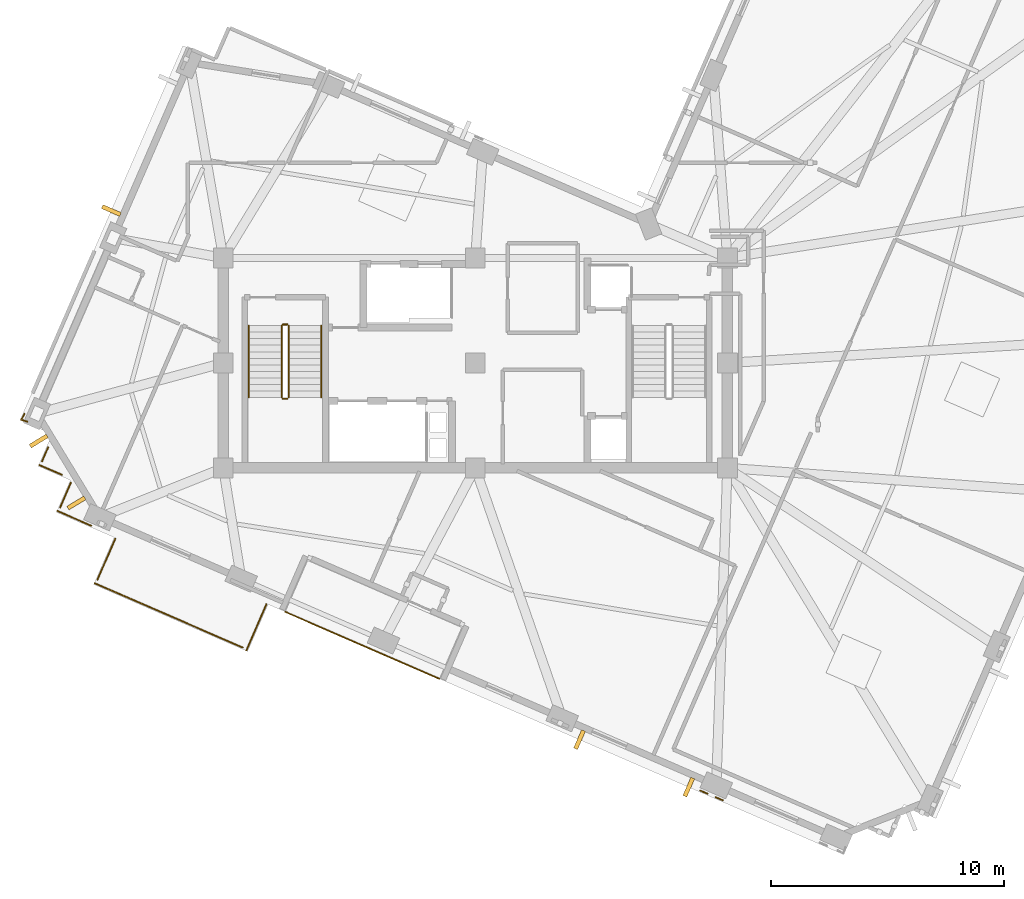
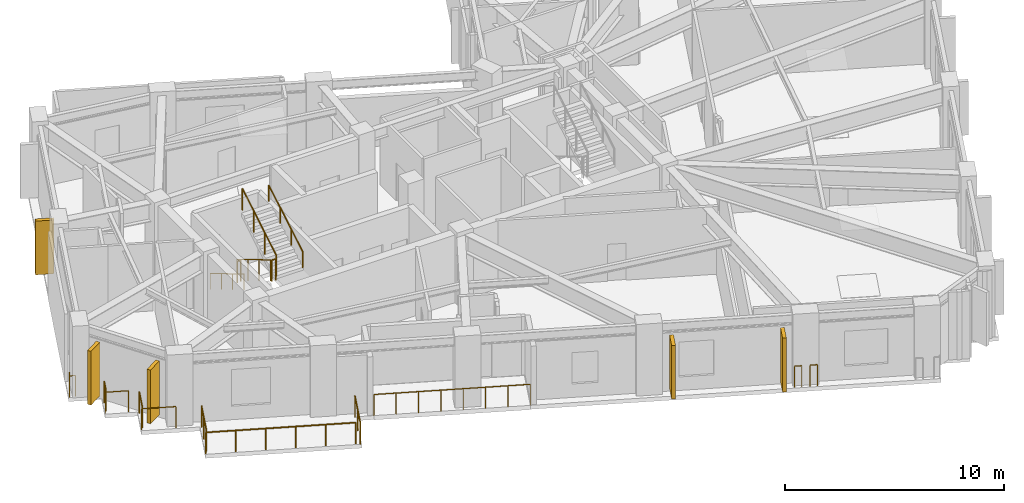
# One storey, part 9 of 12: 17 railings, 5 shading devices.
"""IFC4 building model written with IfcOpenShell, lengths in metres."""

from ifc_helpers import new_model, si_unit, direction, frame, origin, origin_2d, place, context, subcontext, project, spatial, rectangle, circle, extrude, material, layer, layer_set, type_object, element, save


model = new_model("IFC4")

# Units and contexts
model_context = context("Model", 3, precision=1e-05, world=origin(), true_north=direction((0.0, 1.0)))
body_context = subcontext(model_context, "Body", "Model", "MODEL_VIEW")
ifc_project = project(units=[si_unit("LENGTHUNIT", "METRE"), si_unit("AREAUNIT", "SQUARE_METRE"), si_unit("VOLUMEUNIT", "CUBIC_METRE"), si_unit("PLANEANGLEUNIT", "RADIAN"), si_unit("MASSUNIT", "GRAM", prefix="KILO")], contexts=[model_context])

# Site, building, storey
site_placement = place(None, origin())
site = spatial("IfcSite", under=ifc_project, at=site_placement, CompositionType="ELEMENT")
building_placement = place(site_placement, origin())
building = spatial("IfcBuilding", under=site, at=building_placement, Name="Gaonmaruhae Medical Tower", CompositionType="ELEMENT")
storey_placement = place(building_placement, frame((0.0, 0.0, 312.60009765625)))
storey = spatial("IfcBuildingStorey", under=building, at=storey_placement, Name="L75", CompositionType="ELEMENT", Elevation=312.60009765625)

# Railings
ifc_material_1 = material(Name="Stainless steel 316L and laminated safety glass", Category="steel")
ifc_layer = layer(ifc_material_1, 0.080078125)
ifc_layer_set = layer_set([ifc_layer], Name="Stainless steel 316L and laminated safety glass")
railing_type_1 = type_object("IfcRailingType", Name="GD-120 Outdoor Terrace Safety Glass & Steel Balustrade", PredefinedType="BALUSTRADE", material=ifc_layer_set)
railing_1_placement = place(storey_placement, frame((16.657470703125, 1.634521484375, 0.0)))
element("IfcRailing", 1, at=railing_1_placement, inside=storey, type_object=railing_type_1, Name="L75 Terrace Safety Guard RL-SLB-L75-TER-04", PredefinedType="BALUSTRADE", context=body_context, shape_type="SweptSolid", body=[
    extrude(circle(Radius=0.02392578125, at=origin_2d()), frame((0.0, 0.0, 1.17578125), z_axis=(0.917059274554, -0.398750908406, 0.0), x_axis=(0.398750908406, 0.917059274554, 0.0)), (0.0, 0.0, 1.0), 7.2001953125),
    extrude(circle(Radius=0.02099609375, at=origin_2d()), origin(), (0.0, 0.0, 1.0), 1.15185546875),
    extrude(circle(Radius=0.02099609375, at=origin_2d()), frame((0.943359375, -0.41015625, 0.0)), (0.0, 0.0, 1.0), 1.15185546875),
    extrude(circle(Radius=0.02099609375, at=origin_2d()), frame((1.886474609375, -0.8203125, 0.0)), (0.0, 0.0, 1.0), 1.15185546875),
    extrude(circle(Radius=0.02099609375, at=origin_2d()), frame((2.829833984375, -1.23046875, 0.0)), (0.0, 0.0, 1.0), 1.15185546875),
    extrude(circle(Radius=0.02099609375, at=origin_2d()), frame((3.773193359375, -1.640625, 0.0)), (0.0, 0.0, 1.0), 1.15185546875),
    extrude(circle(Radius=0.02099609375, at=origin_2d()), frame((4.716552734375, -2.05078125, 0.0)), (0.0, 0.0, 1.0), 1.15185546875),
    extrude(circle(Radius=0.02099609375, at=origin_2d()), frame((5.65966796875, -2.4609375, 0.0)), (0.0, 0.0, 1.0), 1.15185546875),
    extrude(circle(Radius=0.02099609375, at=origin_2d()), frame((6.60302734375, -2.87109375, 0.0)), (0.0, 0.0, 1.0), 1.15185546875),
])
railing_2_placement = place(storey_placement, frame((7.085693359375, 7.50830078125, 0.0)))
element("IfcRailing", 2, at=railing_2_placement, inside=storey, type_object=railing_type_1, Name="L75 Perimeter Slab Edge Safety Balustrade 01", PredefinedType="BALUSTRADE", context=body_context, shape_type="SweptSolid", body=[
    extrude(circle(Radius=0.02392578125, at=origin_2d()), frame((0.0, 0.0, 1.17578125), z_axis=(-0.917059068991, 0.398751381166, 0.0), x_axis=(-0.398751381166, -0.917059068991, 0.0)), (0.0, 0.0, 1.0), 1.059814453125),
    extrude(circle(Radius=0.02099609375, at=origin_2d()), origin(), (0.0, 0.0, 1.0), 1.15185546875),
    extrude(circle(Radius=0.02099609375, at=origin_2d()), frame((-0.971923828125, 0.422607421875, 0.0)), (0.0, 0.0, 1.0), 1.15185546875),
])
railing_3_placement = place(storey_placement, frame((6.232666015625, 8.0791015625, 0.0)))
element("IfcRailing", 3, at=railing_3_placement, inside=storey, type_object=railing_type_1, Name="L75 Perimeter Slab Edge Safety Balustrade 02", PredefinedType="BALUSTRADE", context=body_context, shape_type="SweptSolid", body=[
    extrude(circle(Radius=0.02392578125, at=origin_2d()), frame((0.0, 0.0, 1.17578125), z_axis=(0.398644977145, 0.917105327755, 0.0), x_axis=(-0.917105327755, 0.398644977145, 0.0)), (0.0, 0.0, 1.0), 0.66015625),
    extrude(circle(Radius=0.02099609375, at=origin_2d()), origin(), (0.0, 0.0, 1.0), 1.15185546875),
    extrude(circle(Radius=0.02099609375, at=origin_2d()), frame((0.26318359375, 0.60546875, 0.0)), (0.0, 0.0, 1.0), 1.15185546875),
])
for number, where, name in (
    (4, (35.411865234375, -6.44384765625, 0.0), "L75 Perimeter Slab Edge Safety Balustrade 10"),
    (5, (34.75146484375, -6.15673828125, 0.0), "L75 Perimeter Slab Edge Safety Balustrade 11"),
):
    element("IfcRailing", number, at=place(storey_placement, frame(where)), inside=storey, type_object=railing_type_1, Name=name, PredefinedType="BALUSTRADE", context=body_context, shape_type="SweptSolid", body=[
        extrude(circle(Radius=0.02392578125, at=origin_2d()), frame((0.0, 0.0, 1.17578125), z_axis=(-0.917127136585, 0.398594800943, 0.0), x_axis=(-0.398594800943, -0.917127136585, 0.0)), (0.0, 0.0, 1.0), 0.33984375),
        extrude(circle(Radius=0.02099609375, at=origin_2d()), origin(), (0.0, 0.0, 1.0), 1.15185546875),
        extrude(circle(Radius=0.02099609375, at=origin_2d()), frame((-0.311767578125, 0.135498046875, 0.0)), (0.0, 0.0, 1.0), 1.15185546875),
    ])
railing_4_placement = place(storey_placement, frame((15.851806640625, 1.962890625, 0.0)))
element("IfcRailing", 6, at=railing_4_placement, inside=storey, type_object=railing_type_1, Name="L75 Perimeter Slab Edge Safety Balustrade 12", PredefinedType="BALUSTRADE", context=body_context, shape_type="SweptSolid", body=[
    extrude(circle(Radius=0.02392578125, at=origin_2d()), frame((0.0, 0.0, 1.17578125), z_axis=(-0.398783975406, -0.917044895825, 0.0), x_axis=(0.917044895825, -0.398783975406, 0.0)), (0.0, 0.0, 1.0), 2.159912109375),
    extrude(circle(Radius=0.02099609375, at=origin_2d()), origin(), (0.0, 0.0, 1.0), 1.15185546875),
    extrude(circle(Radius=0.02099609375, at=origin_2d()), frame((-0.4306640625, -0.990234375, 0.0)), (0.0, 0.0, 1.0), 1.15185546875),
    extrude(circle(Radius=0.02099609375, at=origin_2d()), frame((-0.861328125, -1.980712890625, 0.0)), (0.0, 0.0, 1.0), 1.15185546875),
])
railing_5_placement = place(storey_placement, frame((14.825927734375, 0.108154296875, 0.0)))
element("IfcRailing", 7, at=railing_5_placement, inside=storey, type_object=railing_type_1, Name="L75 Perimeter Slab Edge Safety Balustrade 13", PredefinedType="BALUSTRADE", context=body_context, shape_type="SweptSolid", body=[
    extrude(circle(Radius=0.02392578125, at=origin_2d()), frame((0.0, 0.0, 1.17578125), z_axis=(-0.917063314583, 0.398741616898, 0.0), x_axis=(-0.398741616898, -0.917063314583, 0.0)), (0.0, 0.0, 1.0), 6.908935546875),
    extrude(circle(Radius=0.02099609375, at=origin_2d()), origin(), (0.0, 0.0, 1.0), 1.15185546875),
    extrude(circle(Radius=0.02099609375, at=origin_2d()), frame((-1.26708984375, 0.551025390625, 0.0)), (0.0, 0.0, 1.0), 1.15185546875),
    extrude(circle(Radius=0.02099609375, at=origin_2d()), frame((-2.534423828125, 1.10205078125, 0.0)), (0.0, 0.0, 1.0), 1.15185546875),
    extrude(circle(Radius=0.02099609375, at=origin_2d()), frame((-3.801513671875, 1.65283203125, 0.0)), (0.0, 0.0, 1.0), 1.15185546875),
    extrude(circle(Radius=0.02099609375, at=origin_2d()), frame((-5.06884765625, 2.203857421875, 0.0)), (0.0, 0.0, 1.0), 1.15185546875),
    extrude(circle(Radius=0.02099609375, at=origin_2d()), frame((-6.3359375, 2.7548828125, 0.0)), (0.0, 0.0, 1.0), 1.15185546875),
])
railing_6_placement = place(storey_placement, frame((8.611083984375, 3.01611328125, 0.0)))
element("IfcRailing", 8, at=railing_6_placement, inside=storey, type_object=railing_type_1, Name="L75 Perimeter Slab Edge Safety Balustrade 14", PredefinedType="BALUSTRADE", context=body_context, shape_type="SweptSolid", body=[
    extrude(circle(Radius=0.02392578125, at=origin_2d()), frame((0.0, 0.0, 1.17578125), z_axis=(0.398744697043, 0.917061975321, 0.0), x_axis=(-0.917061975321, 0.398744697043, 0.0)), (0.0, 0.0, 1.0), 1.92138671875),
    extrude(circle(Radius=0.02099609375, at=origin_2d()), origin(), (0.0, 0.0, 1.0), 1.15185546875),
    extrude(circle(Radius=0.02099609375, at=origin_2d()), frame((0.383056640625, 0.880859375, 0.0)), (0.0, 0.0, 1.0), 1.15185546875),
    extrude(circle(Radius=0.02099609375, at=origin_2d()), frame((0.76611328125, 1.761962890625, 0.0)), (0.0, 0.0, 1.0), 1.15185546875),
])
railing_7_placement = place(storey_placement, frame((8.339111328125, 5.32763671875, 0.0)))
element("IfcRailing", 9, at=railing_7_placement, inside=storey, type_object=railing_type_1, Name="L75 Perimeter Slab Edge Safety Balustrade 15", PredefinedType="BALUSTRADE", context=body_context, shape_type="SweptSolid", body=[
    extrude(circle(Radius=0.02392578125, at=origin_2d()), frame((0.0, 0.0, 1.17578125), z_axis=(-0.917028256025, 0.39882223816, 0.0), x_axis=(-0.39882223816, -0.917028256025, 0.0)), (0.0, 0.0, 1.0), 1.578857421875),
    extrude(circle(Radius=0.02099609375, at=origin_2d()), origin(), (0.0, 0.0, 1.0), 1.15185546875),
    extrude(circle(Radius=0.02099609375, at=origin_2d()), frame((-1.44775390625, 0.629638671875, 0.0)), (0.0, 0.0, 1.0), 1.15185546875),
])
railing_8_placement = place(storey_placement, frame((7.01025390625, 6.10546875, 0.0)))
element("IfcRailing", 10, at=railing_8_placement, inside=storey, type_object=railing_type_1, Name="L75 Perimeter Slab Edge Safety Balustrade 16", PredefinedType="BALUSTRADE", context=body_context, shape_type="SweptSolid", body=[
    extrude(circle(Radius=0.02392578125, at=origin_2d()), frame((0.0, 0.0, 1.17578125), z_axis=(0.398664536879, 0.917096825333, 0.0), x_axis=(-0.917096825333, 0.398664536879, 0.0)), (0.0, 0.0, 1.0), 1.159912109375),
    extrude(circle(Radius=0.02099609375, at=origin_2d()), origin(), (0.0, 0.0, 1.0), 1.15185546875),
    extrude(circle(Radius=0.02099609375, at=origin_2d()), frame((0.46240234375, 1.063720703125, 0.0)), (0.0, 0.0, 1.0), 1.15185546875),
])
railing_9_placement = place(storey_placement, frame((5.611572265625, 9.78515625, 0.0)))
element("IfcRailing", 11, at=railing_9_placement, inside=storey, type_object=railing_type_1, Name="L75 Perimeter Corner Safety Balustrade 17", PredefinedType="BALUSTRADE", context=body_context, shape_type="SweptSolid", body=[
    extrude(circle(Radius=0.02392578125, at=origin_2d()), frame((0.0, 0.0, 1.17578125), z_axis=(-0.958849549831, 0.28391467167, 0.0), x_axis=(-0.28391467167, -0.958849549831, 0.0)), (0.0, 0.0, 1.0), 0.287109375),
    extrude(circle(Radius=0.02392578125, at=origin_2d()), frame((-0.275390625, 0.08154296875, 1.17578125), z_axis=(0.507726124509, 0.861518532877, 0.0), x_axis=(-0.861518532877, 0.507726124509, 0.0)), (0.0, 0.0, 1.0), 0.287109375),
    extrude(circle(Radius=0.02099609375, at=origin_2d()), origin(), (0.0, 0.0, 1.0), 1.15185546875),
    extrude(circle(Radius=0.02099609375, at=origin_2d()), frame((-0.275390625, 0.08154296875, 0.0)), (0.0, 0.0, 1.0), 1.15185546875),
    extrude(circle(Radius=0.02099609375, at=origin_2d()), frame((-0.129638671875, 0.328857421875, 0.0)), (0.0, 0.0, 1.0), 1.15185546875),
])
ifc_material_2 = material(Name="Stainless steel 304 handrail", Category="steel")
railing_type_2 = type_object("IfcRailingType", Name="HR-092 Continuous Stainless Steel Stair Handrail", PredefinedType="HANDRAIL", material=ifc_material_2)
railing_10_placement = place(storey_placement, frame((15.10009765625, 13.89990234375, 0.16650390625)))
element("IfcRailing", 12, at=railing_10_placement, inside=storey, type_object=railing_type_2, Name="L75 ST-01 stair handrail 1", PredefinedType="HANDRAIL", context=body_context, shape_type="SweptSolid", body=[
    extrude(circle(Radius=0.02392578125, at=origin_2d()), frame((0.0, 0.0, 0.8759765625), z_axis=(0.0, -0.859260807169, 0.511537745687), x_axis=(1.0, 0.0, 0.0)), (0.0, 0.0, 1.0), 3.584228515625),
    extrude(circle(Radius=0.02099609375, at=origin_2d()), origin(), (0.0, 0.0, 1.0), 0.851806640625),
    extrude(circle(Radius=0.02099609375, at=origin_2d()), frame((0.0, -1.026611328125, 0.611083984375)), (0.0, 0.0, 1.0), 0.851806640625),
    extrude(circle(Radius=0.02099609375, at=origin_2d()), frame((0.0, -2.05322265625, 1.222412109375)), (0.0, 0.0, 1.0), 0.851806640625),
    extrude(circle(Radius=0.02099609375, at=origin_2d()), frame((0.0, -3.079833984375, 1.83349609375)), (0.0, 0.0, 1.0), 0.851806640625),
])
railing_11_placement = place(storey_placement, frame((18.199951171875, 10.820068359375, 2.16650390625)))
element("IfcRailing", 13, at=railing_11_placement, inside=storey, type_object=railing_type_2, Name="L75 ST-01 stair handrail 2", PredefinedType="HANDRAIL", context=body_context, shape_type="SweptSolid", body=[
    extrude(circle(Radius=0.02392578125, at=origin_2d()), frame((0.0, 0.0, 0.8759765625), z_axis=(0.0, 0.859260807169, 0.511537745687), x_axis=(-1.0, 0.0, 0.0)), (0.0, 0.0, 1.0), 3.584228515625),
    extrude(circle(Radius=0.02099609375, at=origin_2d()), origin(), (0.0, 0.0, 1.0), 0.851806640625),
    extrude(circle(Radius=0.02099609375, at=origin_2d()), frame((0.0, 1.026611328125, 0.611083984375)), (0.0, 0.0, 1.0), 0.851806640625),
    extrude(circle(Radius=0.02099609375, at=origin_2d()), frame((0.0, 2.05322265625, 1.222412109375)), (0.0, 0.0, 1.0), 0.851806640625),
    extrude(circle(Radius=0.02099609375, at=origin_2d()), frame((0.0, 3.079833984375, 1.83349609375)), (0.0, 0.0, 1.0), 0.851806640625),
])

# Shading devices
ifc_material_3 = material(Name="Pigmented coral precast concrete C45/55", Category="concrete")
shading_device_type = type_object("IfcShadingDeviceType", Name="SD-FIN1 Tower Vertical Coral Precast Shading Fin", PredefinedType="USERDEFINED", material=ifc_material_3)
for number, where, z_axis, x_axis, name in (
    (14, (9.201416015625, 18.831298828125, 0.13232421875), (0.0, 0.0, 1.0), (0.398749068925, 0.917060074385, 0.0), "L75 Vertical Coral Precast Shading Fin N01"),
    (15, (7.705322265625, 6.2998046875, 0.13232421875), (0.0, 0.0, 1.0), (-0.519250650088, 0.854621999707, 0.0), "L75 Vertical Coral Precast Shading Fin N03"),
    (16, (6.091796875, 8.955322265625, 0.13232421875), (0.0, 0.0, 1.0), (-0.519250650088, 0.854621999707, 0.0), "L75 Vertical Coral Precast Shading Fin N03B"),
    (17, (33.948486328125, -5.87841796875, 0.122314453125), (0.0, 0.0, 1.0), (-0.917060074385, 0.398749068925, 0.0), "L75 Vertical Coral Precast Shading Fin W04"),
    (18, (29.266845703125, -3.8427734375, 0.122314453125), (0.0, 0.0, 1.0), (-0.917060074385, 0.398749068925, 0.0), "L75 Vertical Coral Precast Shading Fin W04B"),
):
    element("IfcShadingDevice", number, at=place(storey_placement, frame(where, z_axis=z_axis, x_axis=x_axis)), inside=storey, type_object=shading_device_type, Name=name, ObjectType="FIN", PredefinedType="USERDEFINED", context=body_context, shape_type="SweptSolid", body=[
        extrude(rectangle(XDim=0.179931640625, YDim=0.85009765625, at=origin_2d()), origin(), (0.0, 0.0, 1.0), 3.0),
    ])

# Railings
ifc_material_4 = material(Name="Stainless steel 304 balustrade", Category="steel")
railing_type_3 = type_object("IfcRailingType", Name="SG-112 Stair Well & Ramp Void Safety Balustrade", PredefinedType="BALUSTRADE", material=ifc_material_4)
railing_12_placement = place(storey_placement, frame((16.5, 13.89990234375, 0.16650390625)))
element("IfcRailing", 19, at=railing_12_placement, inside=storey, type_object=railing_type_3, Name="L75 ST-01 stair guard 1", PredefinedType="BALUSTRADE", context=body_context, shape_type="SweptSolid", body=[
    extrude(circle(Radius=0.02392578125, at=origin_2d()), frame((0.0, 0.0, 1.17578125), z_axis=(0.0, -0.859260807169, 0.511537745687), x_axis=(1.0, 0.0, 0.0)), (0.0, 0.0, 1.0), 3.584228515625),
    extrude(circle(Radius=0.02099609375, at=origin_2d()), origin(), (0.0, 0.0, 1.0), 1.15185546875),
    extrude(circle(Radius=0.02099609375, at=origin_2d()), frame((0.0, -1.026611328125, 0.611083984375)), (0.0, 0.0, 1.0), 1.15185546875),
    extrude(circle(Radius=0.02099609375, at=origin_2d()), frame((0.0, -2.05322265625, 1.222412109375)), (0.0, 0.0, 1.0), 1.15185546875),
    extrude(circle(Radius=0.02099609375, at=origin_2d()), frame((0.0, -3.079833984375, 1.83349609375)), (0.0, 0.0, 1.0), 1.15185546875),
])
railing_13_placement = place(storey_placement, frame((16.550048828125, 10.77001953125, 2.0)))
element("IfcRailing", 20, at=railing_13_placement, inside=storey, type_object=railing_type_3, Name="L75 ST-01 stair guard 2", PredefinedType="BALUSTRADE", context=body_context, shape_type="SweptSolid", body=[
    extrude(circle(Radius=0.02392578125, at=origin_2d()), frame((0.0, 0.0, 1.17578125), z_axis=(1.0, 0.0, 0.0), x_axis=(0.0, 1.0, 0.0)), (0.0, 0.0, 1.0), 0.199951171875),
    extrude(circle(Radius=0.02099609375, at=origin_2d()), origin(), (0.0, 0.0, 1.0), 1.15185546875),
    extrude(circle(Radius=0.02099609375, at=origin_2d()), frame((0.199951171875, 0.0, 0.0)), (0.0, 0.0, 1.0), 1.15185546875),
])
railing_14_placement = place(storey_placement, frame((16.800048828125, 10.820068359375, 2.16650390625)))
element("IfcRailing", 21, at=railing_14_placement, inside=storey, type_object=railing_type_3, Name="L75 ST-01 stair guard 3", PredefinedType="BALUSTRADE", context=body_context, shape_type="SweptSolid", body=[
    extrude(circle(Radius=0.02392578125, at=origin_2d()), frame((0.0, 0.0, 1.17578125), z_axis=(0.0, 0.859260807169, 0.511537745687), x_axis=(-1.0, 0.0, 0.0)), (0.0, 0.0, 1.0), 3.584228515625),
    extrude(circle(Radius=0.02099609375, at=origin_2d()), origin(), (0.0, 0.0, 1.0), 1.15185546875),
    extrude(circle(Radius=0.02099609375, at=origin_2d()), frame((0.0, 1.026611328125, 0.611083984375)), (0.0, 0.0, 1.0), 1.15185546875),
    extrude(circle(Radius=0.02099609375, at=origin_2d()), frame((0.0, 2.05322265625, 1.222412109375)), (0.0, 0.0, 1.0), 1.15185546875),
    extrude(circle(Radius=0.02099609375, at=origin_2d()), frame((0.0, 3.079833984375, 1.83349609375)), (0.0, 0.0, 1.0), 1.15185546875),
])
railing_15_placement = place(storey_placement, frame((16.550048828125, 13.949951171875, 0.0)))
element("IfcRailing", 22, at=railing_15_placement, inside=storey, type_object=railing_type_3, Name="L75 ST-01 stair guard 4", PredefinedType="BALUSTRADE", context=body_context, shape_type="SweptSolid", body=[
    extrude(circle(Radius=0.02392578125, at=origin_2d()), frame((0.0, 0.0, 1.17578125), z_axis=(1.0, 0.0, 0.0), x_axis=(0.0, 1.0, 0.0)), (0.0, 0.0, 1.0), 0.199951171875),
    extrude(circle(Radius=0.02099609375, at=origin_2d()), origin(), (0.0, 0.0, 1.0), 1.15185546875),
    extrude(circle(Radius=0.02099609375, at=origin_2d()), frame((0.199951171875, 0.0, 0.0)), (0.0, 0.0, 1.0), 1.15185546875),
])

save(model, "model.ifc")
